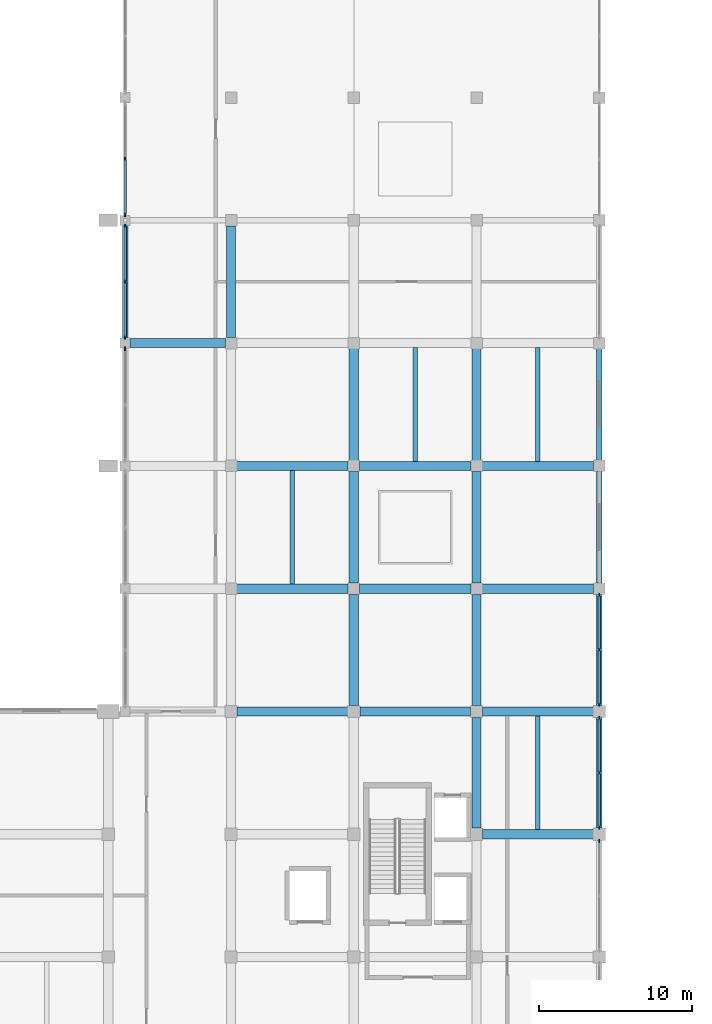
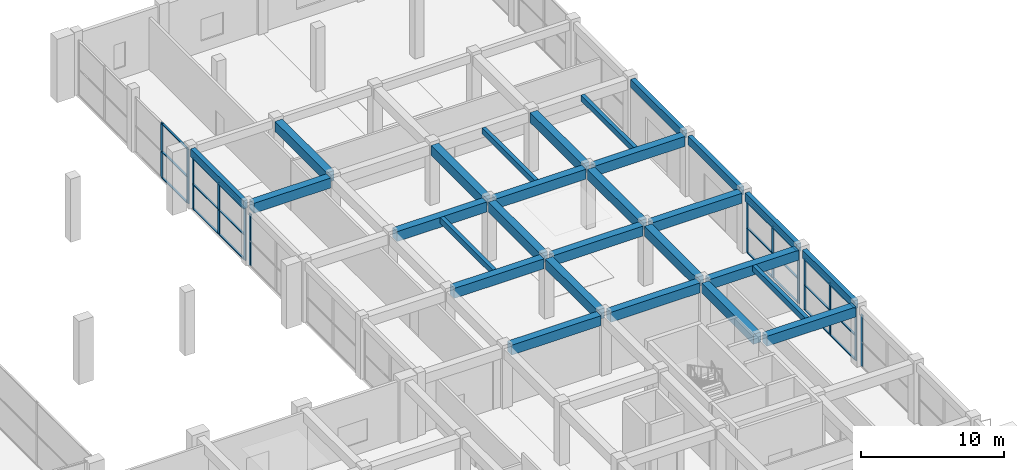
# One storey, part 40 of 86: 34 members, 28 beams, 6 elements without a shape of their own.
"""IFC4 building model written with IfcOpenShell, lengths in metres."""

from ifc_helpers import new_model, si_unit, direction, frame, origin, origin_2d, place, context, subcontext, project, spatial, rectangle, extrude, material, material_profile, profile_set, type_object, element, aggregate, save


model = new_model("IFC4")

# Units and contexts
model_context = context("Model", 3, precision=1e-05, world=origin(), true_north=direction((0.0, 1.0)))
body_context = subcontext(model_context, "Body", "Model", "MODEL_VIEW")
ifc_project = project(units=[si_unit("LENGTHUNIT", "METRE"), si_unit("AREAUNIT", "SQUARE_METRE"), si_unit("VOLUMEUNIT", "CUBIC_METRE"), si_unit("PLANEANGLEUNIT", "RADIAN"), si_unit("MASSUNIT", "GRAM", prefix="KILO")], contexts=[model_context])

# Site, building, storey
site_placement = place(None, origin())
site = spatial("IfcSite", under=ifc_project, at=site_placement, CompositionType="ELEMENT")
building_placement = place(site_placement, origin())
building = spatial("IfcBuilding", under=site, at=building_placement, Name="Kenh Van Central Station", CompositionType="ELEMENT")
storey_placement = place(building_placement, origin())
storey = spatial("IfcBuildingStorey", under=building, at=storey_placement, Name="L00", CompositionType="ELEMENT", Elevation=0.0)

# Beams
ifc_material_1 = material(Name="Concrete C35/45", Category="concrete")
ifc_material_profile_1 = material_profile(ifc_material_1, rectangle(XDim=0.60009765625, YDim=0.85009765625, at=origin_2d()), Name="RC 600x850")
ifc_profile_set_1 = profile_set([ifc_material_profile_1], Name="Concrete C35/45")
beam_type_1 = type_object("IfcBeamType", Name="BM-RC-600x850", PredefinedType="BEAM", material=ifc_profile_set_1)
for number, where, z_axis, x_axis, name in (
    (1, (168.389892578125, 56.0, 4.695068359375), (1.0, 0.0, 0.0), (0.0, 1.0, 0.0), "L00 beam 0445"),
    (2, (152.389892578125, 64.0, 4.695068359375), (1.0, 0.0, 0.0), (0.0, 1.0, 0.0), "L00 beam 0447"),
    (3, (160.389892578125, 64.0, 4.695068359375), (1.0, 0.0, 0.0), (0.0, 1.0, 0.0), "L00 beam 0448"),
    (4, (168.389892578125, 64.0, 4.695068359375), (1.0, 0.0, 0.0), (0.0, 1.0, 0.0), "L00 beam 0449"),
):
    element("IfcBeam", number, at=place(storey_placement, frame(where, z_axis=z_axis, x_axis=x_axis)), inside=storey, type_object=beam_type_1, Name=name, PredefinedType="BEAM", context=body_context, shape_type="SweptSolid", body=[
        extrude(rectangle(XDim=0.60009765625, YDim=0.85009765625, at=origin_2d()), origin(), (0.0, 0.0, 1.0), 7.22021484375),
    ])
for number, where, z_axis, x_axis, name in (
    (5, (152.364990234375, 72.0, 4.695068359375), (1.0, 0.0, 0.0), (0.0, 1.0, 0.0), "L00 beam 0451"),
    (6, (160.364990234375, 72.0, 4.695068359375), (1.0, 0.0, 0.0), (0.0, 1.0, 0.0), "L00 beam 0452"),
    (7, (168.364990234375, 72.0, 4.695068359375), (1.0, 0.0, 0.0), (0.0, 1.0, 0.0), "L00 beam 0453"),
    (8, (152.364990234375, 80.0, 4.695068359375), (1.0, 0.0, 0.0), (0.0, 1.0, 0.0), "L00 beam 0455"),
    (9, (160.364990234375, 80.0, 4.695068359375), (1.0, 0.0, 0.0), (0.0, 1.0, 0.0), "L00 beam 0456"),
    (10, (168.364990234375, 80.0, 4.695068359375), (1.0, 0.0, 0.0), (0.0, 1.0, 0.0), "L00 beam 0457"),
):
    element("IfcBeam", number, at=place(storey_placement, frame(where, z_axis=z_axis, x_axis=x_axis)), inside=storey, type_object=beam_type_1, Name=name, PredefinedType="BEAM", context=body_context, shape_type="SweptSolid", body=[
        extrude(rectangle(XDim=0.60009765625, YDim=0.85009765625, at=origin_2d()), origin(), (0.0, 0.0, 1.0), 7.27001953125),
    ])
beam_1_placement = place(storey_placement, frame((145.4150390625, 88.0, 4.695068359375), z_axis=(1.0, 0.0, 0.0), x_axis=(0.0, 1.0, 0.0)))
element("IfcBeam", 11, at=beam_1_placement, inside=storey, type_object=beam_type_1, Name="L00 beam 0458", PredefinedType="BEAM", context=body_context, shape_type="SweptSolid", body=[
    extrude(rectangle(XDim=0.60009765625, YDim=0.85009765625, at=origin_2d()), origin(), (0.0, 0.0, 1.0), 6.219970703125),
])
beam_2_placement = place(storey_placement, frame((152.0, 88.364990234375, 4.695068359375), z_axis=(0.0, 1.0, 0.0), x_axis=(-1.0, 0.0, 0.0)))
element("IfcBeam", 12, at=beam_2_placement, inside=storey, type_object=beam_type_1, Name="L00 beam 0554", PredefinedType="BEAM", context=body_context, shape_type="SweptSolid", body=[
    extrude(rectangle(XDim=0.60009765625, YDim=0.85009765625, at=origin_2d()), origin(), (0.0, 0.0, 1.0), 7.27001953125),
])
beam_3_placement = place(storey_placement, frame((160.0, 64.389892578125, 4.695068359375), z_axis=(0.0, 1.0, 0.0), x_axis=(-1.0, 0.0, 0.0)))
element("IfcBeam", 13, at=beam_3_placement, inside=storey, type_object=beam_type_1, Name="L00 beam 0562", PredefinedType="BEAM", context=body_context, shape_type="SweptSolid", body=[
    extrude(rectangle(XDim=0.60009765625, YDim=0.85009765625, at=origin_2d()), origin(), (0.0, 0.0, 1.0), 7.2451171875),
])
for number, where, z_axis, x_axis, name in (
    (14, (160.0, 72.364990234375, 4.695068359375), (0.0, 1.0, 0.0), (-1.0, 0.0, 0.0), "L00 beam 0563"),
    (15, (160.0, 80.364990234375, 4.695068359375), (0.0, 1.0, 0.0), (-1.0, 0.0, 0.0), "L00 beam 0564"),
):
    element("IfcBeam", number, at=place(storey_placement, frame(where, z_axis=z_axis, x_axis=x_axis)), inside=storey, type_object=beam_type_1, Name=name, PredefinedType="BEAM", context=body_context, shape_type="SweptSolid", body=[
        extrude(rectangle(XDim=0.60009765625, YDim=0.85009765625, at=origin_2d()), origin(), (0.0, 0.0, 1.0), 7.27001953125),
    ])
beam_4_placement = place(storey_placement, frame((168.0, 56.389892578125, 4.695068359375), z_axis=(0.0, 1.0, 0.0), x_axis=(-1.0, 0.0, 0.0)))
element("IfcBeam", 16, at=beam_4_placement, inside=storey, type_object=beam_type_1, Name="L00 beam 0572", PredefinedType="BEAM", context=body_context, shape_type="SweptSolid", body=[
    extrude(rectangle(XDim=0.60009765625, YDim=0.85009765625, at=origin_2d()), origin(), (0.0, 0.0, 1.0), 7.22021484375),
])
beam_5_placement = place(storey_placement, frame((168.0, 64.389892578125, 4.695068359375), z_axis=(0.0, 1.0, 0.0), x_axis=(-1.0, 0.0, 0.0)))
element("IfcBeam", 17, at=beam_5_placement, inside=storey, type_object=beam_type_1, Name="L00 beam 0573", PredefinedType="BEAM", context=body_context, shape_type="SweptSolid", body=[
    extrude(rectangle(XDim=0.60009765625, YDim=0.85009765625, at=origin_2d()), origin(), (0.0, 0.0, 1.0), 7.2451171875),
])
for number, where, z_axis, x_axis, name in (
    (18, (168.0, 72.364990234375, 4.695068359375), (0.0, 1.0, 0.0), (-1.0, 0.0, 0.0), "L00 beam 0574"),
    (19, (168.0, 80.364990234375, 4.695068359375), (0.0, 1.0, 0.0), (-1.0, 0.0, 0.0), "L00 beam 0575"),
):
    element("IfcBeam", number, at=place(storey_placement, frame(where, z_axis=z_axis, x_axis=x_axis)), inside=storey, type_object=beam_type_1, Name=name, PredefinedType="BEAM", context=body_context, shape_type="SweptSolid", body=[
        extrude(rectangle(XDim=0.60009765625, YDim=0.85009765625, at=origin_2d()), origin(), (0.0, 0.0, 1.0), 7.27001953125),
    ])

# Curtain wall, member
ifc_material_2 = material(Name="Champagne anodised aluminium", Category="aluminium")
curtain_wall_type_1 = type_object("IfcCurtainWallType", Name="CW-OPER-A", PredefinedType="NOTDEFINED", material=ifc_material_2)
curtain_wall_1_placement = place(storey_placement, origin())
curtain_wall_1 = element("IfcCurtainWall", 20, at=curtain_wall_1_placement, inside=storey, type_object=curtain_wall_type_1, Name="L00 curtain wall 057", PredefinedType="NOTDEFINED")
ifc_material_profile_2 = material_profile(ifc_material_2, rectangle(XDim=0.087890625, YDim=0.239990234375, at=origin_2d()), Name="AL 88x240")
ifc_profile_set_2 = profile_set([ifc_material_profile_2], Name="Champagne anodised aluminium")
member_type_1 = type_object("IfcMemberType", Name="CWM-60x140", PredefinedType="MULLION", material=ifc_profile_set_2)
member_1_placement = place(storey_placement, frame((176.0, 55.555908203125, 0.0), z_axis=(0.0, 0.0, 1.0), x_axis=(-1.0, 0.0, 0.0)))
member_1 = element("IfcMember", 21, at=member_1_placement, type_object=member_type_1, Name="CW-07 mullion 3", PredefinedType="MULLION", context=body_context, shape_type="SweptSolid", body=[
    extrude(rectangle(XDim=0.087890625, YDim=0.239990234375, at=origin_2d()), origin(), (0.0, 0.0, 1.0), 4.419921875),
])
aggregate(curtain_wall_1, [member_1])

# Curtain wall, members
curtain_wall_2_placement = place(storey_placement, origin())
curtain_wall_2 = element("IfcCurtainWall", 22, at=curtain_wall_2_placement, inside=storey, type_object=curtain_wall_type_1, Name="L00 curtain wall 058", PredefinedType="NOTDEFINED")
member_2_placement = place(storey_placement, frame((176.0, 56.444091796875, 0.0), z_axis=(0.0, 0.0, 1.0), x_axis=(-1.0, 0.0, 0.0)))
member_2 = element("IfcMember", 23, at=member_2_placement, type_object=member_type_1, Name="CW-07 mullion 1", PredefinedType="MULLION", context=body_context, shape_type="SweptSolid", body=[
    extrude(rectangle(XDim=0.087890625, YDim=0.239990234375, at=origin_2d()), origin(), (0.0, 0.0, 1.0), 4.419921875),
])
member_3_placement = place(storey_placement, frame((176.0, 60.0, 0.0), z_axis=(0.0, 0.0, 1.0), x_axis=(-1.0, 0.0, 0.0)))
member_3 = element("IfcMember", 24, at=member_3_placement, type_object=member_type_1, Name="CW-07 mullion 2", PredefinedType="MULLION", context=body_context, shape_type="SweptSolid", body=[
    extrude(rectangle(XDim=0.087890625, YDim=0.239990234375, at=origin_2d()), origin(), (0.0, 0.0, 1.0), 4.419921875),
])
member_4_placement = place(storey_placement, frame((176.0, 63.555908203125, 0.0), z_axis=(0.0, 0.0, 1.0), x_axis=(-1.0, 0.0, 0.0)))
member_4 = element("IfcMember", 25, at=member_4_placement, type_object=member_type_1, Name="CW-07 mullion 3", PredefinedType="MULLION", context=body_context, shape_type="SweptSolid", body=[
    extrude(rectangle(XDim=0.087890625, YDim=0.239990234375, at=origin_2d()), origin(), (0.0, 0.0, 1.0), 4.419921875),
])

curtain_wall_3_placement = place(storey_placement, origin())
curtain_wall_3 = element("IfcCurtainWall", 26, at=curtain_wall_3_placement, inside=storey, type_object=curtain_wall_type_1, Name="L00 curtain wall 059", PredefinedType="NOTDEFINED")
member_5_placement = place(storey_placement, frame((176.0, 64.444091796875, 0.0), z_axis=(0.0, 0.0, 1.0), x_axis=(-1.0, 0.0, 0.0)))
member_5 = element("IfcMember", 27, at=member_5_placement, type_object=member_type_1, Name="CW-07 mullion 1", PredefinedType="MULLION", context=body_context, shape_type="SweptSolid", body=[
    extrude(rectangle(XDim=0.087890625, YDim=0.239990234375, at=origin_2d()), origin(), (0.0, 0.0, 1.0), 4.419921875),
])
member_6_placement = place(storey_placement, frame((176.0, 68.012451171875, 0.0), z_axis=(0.0, 0.0, 1.0), x_axis=(-1.0, 0.0, 0.0)))
member_6 = element("IfcMember", 28, at=member_6_placement, type_object=member_type_1, Name="CW-07 mullion 2", PredefinedType="MULLION", context=body_context, shape_type="SweptSolid", body=[
    extrude(rectangle(XDim=0.087890625, YDim=0.239990234375, at=origin_2d()), origin(), (0.0, 0.0, 1.0), 4.419921875),
])
member_7_placement = place(storey_placement, frame((176.0, 71.5810546875, 0.0), z_axis=(0.0, 0.0, 1.0), x_axis=(-1.0, 0.0, 0.0)))
member_7 = element("IfcMember", 29, at=member_7_placement, type_object=member_type_1, Name="CW-07 mullion 3", PredefinedType="MULLION", context=body_context, shape_type="SweptSolid", body=[
    extrude(rectangle(XDim=0.087890625, YDim=0.239990234375, at=origin_2d()), origin(), (0.0, 0.0, 1.0), 4.419921875),
])

curtain_wall_type_2 = type_object("IfcCurtainWallType", Name="CW-OPER-B", PredefinedType="NOTDEFINED", material=ifc_material_2)
curtain_wall_4_placement = place(storey_placement, origin())
curtain_wall_4 = element("IfcCurtainWall", 30, at=curtain_wall_4_placement, inside=storey, type_object=curtain_wall_type_2, Name="L00 curtain wall 064", PredefinedType="NOTDEFINED")
member_8_placement = place(storey_placement, frame((145.10009765625, 100.0, 0.0), z_axis=(0.0, 0.0, 1.0), x_axis=(1.0, 0.0, 0.0)))
member_8 = element("IfcMember", 31, at=member_8_placement, type_object=member_type_1, Name="CW-08 mullion 2", PredefinedType="MULLION", context=body_context, shape_type="SweptSolid", body=[
    extrude(rectangle(XDim=0.087890625, YDim=0.239990234375, at=origin_2d()), origin(), (0.0, 0.0, 1.0), 4.67529296875),
])
member_9_placement = place(storey_placement, frame((145.10009765625, 96.368896484375, 0.0), z_axis=(0.0, 0.0, 1.0), x_axis=(1.0, 0.0, 0.0)))
member_9 = element("IfcMember", 32, at=member_9_placement, type_object=member_type_1, Name="CW-08 mullion 3", PredefinedType="MULLION", context=body_context, shape_type="SweptSolid", body=[
    extrude(rectangle(XDim=0.087890625, YDim=0.239990234375, at=origin_2d()), origin(), (0.0, 0.0, 1.0), 4.67529296875),
])

curtain_wall_5_placement = place(storey_placement, origin())
curtain_wall_5 = element("IfcCurtainWall", 33, at=curtain_wall_5_placement, inside=storey, type_object=curtain_wall_type_2, Name="L00 curtain wall 065", PredefinedType="NOTDEFINED")
member_10_placement = place(storey_placement, frame((145.10009765625, 95.631103515625, 0.0), z_axis=(0.0, 0.0, 1.0), x_axis=(1.0, 0.0, 0.0)))
member_10 = element("IfcMember", 34, at=member_10_placement, type_object=member_type_1, Name="CW-08 mullion 1", PredefinedType="MULLION", context=body_context, shape_type="SweptSolid", body=[
    extrude(rectangle(XDim=0.087890625, YDim=0.239990234375, at=origin_2d()), origin(), (0.0, 0.0, 1.0), 4.419921875),
])
member_11_placement = place(storey_placement, frame((145.10009765625, 92.0, 0.0), z_axis=(0.0, 0.0, 1.0), x_axis=(1.0, 0.0, 0.0)))
member_11 = element("IfcMember", 35, at=member_11_placement, type_object=member_type_1, Name="CW-08 mullion 2", PredefinedType="MULLION", context=body_context, shape_type="SweptSolid", body=[
    extrude(rectangle(XDim=0.087890625, YDim=0.239990234375, at=origin_2d()), origin(), (0.0, 0.0, 1.0), 4.419921875),
])
member_12_placement = place(storey_placement, frame((145.10009765625, 88.368896484375, 0.0), z_axis=(0.0, 0.0, 1.0), x_axis=(1.0, 0.0, 0.0)))
member_12 = element("IfcMember", 36, at=member_12_placement, type_object=member_type_1, Name="CW-08 mullion 3", PredefinedType="MULLION", context=body_context, shape_type="SweptSolid", body=[
    extrude(rectangle(XDim=0.087890625, YDim=0.239990234375, at=origin_2d()), origin(), (0.0, 0.0, 1.0), 4.419921875),
])

# Curtain wall, member
curtain_wall_6_placement = place(storey_placement, origin())
curtain_wall_6 = element("IfcCurtainWall", 37, at=curtain_wall_6_placement, inside=storey, type_object=curtain_wall_type_2, Name="L00 curtain wall 066", PredefinedType="NOTDEFINED")
member_13_placement = place(storey_placement, frame((145.10009765625, 87.631103515625, 0.0), z_axis=(0.0, 0.0, 1.0), x_axis=(1.0, 0.0, 0.0)))
member_13 = element("IfcMember", 38, at=member_13_placement, type_object=member_type_1, Name="CW-08 mullion 1", PredefinedType="MULLION", context=body_context, shape_type="SweptSolid", body=[
    extrude(rectangle(XDim=0.087890625, YDim=0.239990234375, at=origin_2d()), origin(), (0.0, 0.0, 1.0), 4.419921875),
])
aggregate(curtain_wall_6, [member_13])

# Member
ifc_material_profile_3 = material_profile(ifc_material_2, rectangle(XDim=0.155029296875, YDim=0.072021484375, at=origin_2d()), Name="AL 155x72")
ifc_profile_set_3 = profile_set([ifc_material_profile_3], Name="Champagne anodised aluminium")
member_type_2 = type_object("IfcMemberType", Name="CWT-120x60", PredefinedType="USERDEFINED", material=ifc_profile_set_3)
member_14_placement = place(storey_placement, frame((176.0, 56.488037109375, 0.035888671875), z_axis=(0.0, 1.0, 0.0), x_axis=(-1.0, 0.0, 0.0)))
member_14 = element("IfcMember", 39, at=member_14_placement, type_object=member_type_2, Name="CW-07 transom 1.1", ObjectType="TRANSOM", PredefinedType="USERDEFINED", context=body_context, shape_type="SweptSolid", body=[
    extrude(rectangle(XDim=0.155029296875, YDim=0.072021484375, at=origin_2d()), origin(), (0.0, 0.0, 1.0), 3.468017578125),
])

member_15_placement = place(storey_placement, frame((176.0, 56.488037109375, 2.12158203125), z_axis=(0.0, 1.0, 0.0), x_axis=(-1.0, 0.0, 0.0)))
member_15 = element("IfcMember", 40, at=member_15_placement, type_object=member_type_2, Name="CW-07 transom 1.2", ObjectType="TRANSOM", PredefinedType="USERDEFINED", context=body_context, shape_type="SweptSolid", body=[
    extrude(rectangle(XDim=0.155029296875, YDim=0.072021484375, at=origin_2d()), origin(), (0.0, 0.0, 1.0), 3.468017578125),
])

member_16_placement = place(storey_placement, frame((176.0, 56.488037109375, 4.384033203125), z_axis=(0.0, 1.0, 0.0), x_axis=(-1.0, 0.0, 0.0)))
member_16 = element("IfcMember", 41, at=member_16_placement, type_object=member_type_2, Name="CW-07 transom 1.3", ObjectType="TRANSOM", PredefinedType="USERDEFINED", context=body_context, shape_type="SweptSolid", body=[
    extrude(rectangle(XDim=0.155029296875, YDim=0.072021484375, at=origin_2d()), origin(), (0.0, 0.0, 1.0), 3.468017578125),
])

member_17_placement = place(storey_placement, frame((176.0, 60.0439453125, 0.035888671875), z_axis=(0.0, 1.0, 0.0), x_axis=(-1.0, 0.0, 0.0)))
member_17 = element("IfcMember", 42, at=member_17_placement, type_object=member_type_2, Name="CW-07 transom 2.1", ObjectType="TRANSOM", PredefinedType="USERDEFINED", context=body_context, shape_type="SweptSolid", body=[
    extrude(rectangle(XDim=0.155029296875, YDim=0.072021484375, at=origin_2d()), origin(), (0.0, 0.0, 1.0), 3.468017578125),
])

member_18_placement = place(storey_placement, frame((176.0, 60.0439453125, 2.12158203125), z_axis=(0.0, 1.0, 0.0), x_axis=(-1.0, 0.0, 0.0)))
member_18 = element("IfcMember", 43, at=member_18_placement, type_object=member_type_2, Name="CW-07 transom 2.2", ObjectType="TRANSOM", PredefinedType="USERDEFINED", context=body_context, shape_type="SweptSolid", body=[
    extrude(rectangle(XDim=0.155029296875, YDim=0.072021484375, at=origin_2d()), origin(), (0.0, 0.0, 1.0), 3.468017578125),
])

member_19_placement = place(storey_placement, frame((176.0, 60.0439453125, 4.384033203125), z_axis=(0.0, 1.0, 0.0), x_axis=(-1.0, 0.0, 0.0)))
member_19 = element("IfcMember", 44, at=member_19_placement, type_object=member_type_2, Name="CW-07 transom 2.3", ObjectType="TRANSOM", PredefinedType="USERDEFINED", context=body_context, shape_type="SweptSolid", body=[
    extrude(rectangle(XDim=0.155029296875, YDim=0.072021484375, at=origin_2d()), origin(), (0.0, 0.0, 1.0), 3.468017578125),
])

aggregate(curtain_wall_2, [member_2, member_3, member_4, member_14, member_15, member_16, member_17, member_18, member_19])

member_20_placement = place(storey_placement, frame((176.0, 64.488037109375, 0.035888671875), z_axis=(0.0, 1.0, 0.0), x_axis=(-1.0, 0.0, 0.0)))
member_20 = element("IfcMember", 45, at=member_20_placement, type_object=member_type_2, Name="CW-07 transom 1.1", ObjectType="TRANSOM", PredefinedType="USERDEFINED", context=body_context, shape_type="SweptSolid", body=[
    extrude(rectangle(XDim=0.155029296875, YDim=0.072021484375, at=origin_2d()), origin(), (0.0, 0.0, 1.0), 3.48046875),
])

member_21_placement = place(storey_placement, frame((176.0, 64.488037109375, 2.12158203125), z_axis=(0.0, 1.0, 0.0), x_axis=(-1.0, 0.0, 0.0)))
member_21 = element("IfcMember", 46, at=member_21_placement, type_object=member_type_2, Name="CW-07 transom 1.2", ObjectType="TRANSOM", PredefinedType="USERDEFINED", context=body_context, shape_type="SweptSolid", body=[
    extrude(rectangle(XDim=0.155029296875, YDim=0.072021484375, at=origin_2d()), origin(), (0.0, 0.0, 1.0), 3.48046875),
])

member_22_placement = place(storey_placement, frame((176.0, 64.488037109375, 4.384033203125), z_axis=(0.0, 1.0, 0.0), x_axis=(-1.0, 0.0, 0.0)))
member_22 = element("IfcMember", 47, at=member_22_placement, type_object=member_type_2, Name="CW-07 transom 1.3", ObjectType="TRANSOM", PredefinedType="USERDEFINED", context=body_context, shape_type="SweptSolid", body=[
    extrude(rectangle(XDim=0.155029296875, YDim=0.072021484375, at=origin_2d()), origin(), (0.0, 0.0, 1.0), 3.48046875),
])

member_23_placement = place(storey_placement, frame((176.0, 68.056396484375, 0.035888671875), z_axis=(0.0, 1.0, 0.0), x_axis=(-1.0, 0.0, 0.0)))
member_23 = element("IfcMember", 48, at=member_23_placement, type_object=member_type_2, Name="CW-07 transom 2.1", ObjectType="TRANSOM", PredefinedType="USERDEFINED", context=body_context, shape_type="SweptSolid", body=[
    extrude(rectangle(XDim=0.155029296875, YDim=0.072021484375, at=origin_2d()), origin(), (0.0, 0.0, 1.0), 3.480712890625),
])

member_24_placement = place(storey_placement, frame((176.0, 68.056396484375, 2.12158203125), z_axis=(0.0, 1.0, 0.0), x_axis=(-1.0, 0.0, 0.0)))
member_24 = element("IfcMember", 49, at=member_24_placement, type_object=member_type_2, Name="CW-07 transom 2.2", ObjectType="TRANSOM", PredefinedType="USERDEFINED", context=body_context, shape_type="SweptSolid", body=[
    extrude(rectangle(XDim=0.155029296875, YDim=0.072021484375, at=origin_2d()), origin(), (0.0, 0.0, 1.0), 3.480712890625),
])

member_25_placement = place(storey_placement, frame((176.0, 68.056396484375, 4.384033203125), z_axis=(0.0, 1.0, 0.0), x_axis=(-1.0, 0.0, 0.0)))
member_25 = element("IfcMember", 50, at=member_25_placement, type_object=member_type_2, Name="CW-07 transom 2.3", ObjectType="TRANSOM", PredefinedType="USERDEFINED", context=body_context, shape_type="SweptSolid", body=[
    extrude(rectangle(XDim=0.155029296875, YDim=0.072021484375, at=origin_2d()), origin(), (0.0, 0.0, 1.0), 3.480712890625),
])

aggregate(curtain_wall_3, [member_5, member_6, member_7, member_20, member_21, member_22, member_23, member_24, member_25])

member_26_placement = place(storey_placement, frame((145.10009765625, 99.9560546875, 0.035888671875), z_axis=(0.0, -1.0, 0.0), x_axis=(1.0, 0.0, 0.0)))
member_26 = element("IfcMember", 51, at=member_26_placement, type_object=member_type_2, Name="CW-08 transom 2.1", ObjectType="TRANSOM", PredefinedType="USERDEFINED", context=body_context, shape_type="SweptSolid", body=[
    extrude(rectangle(XDim=0.155029296875, YDim=0.072021484375, at=origin_2d()), origin(), (0.0, 0.0, 1.0), 3.54296875),
])

member_27_placement = place(storey_placement, frame((145.10009765625, 99.9560546875, 2.244140625), z_axis=(0.0, -1.0, 0.0), x_axis=(1.0, 0.0, 0.0)))
member_27 = element("IfcMember", 52, at=member_27_placement, type_object=member_type_2, Name="CW-08 transom 2.2", ObjectType="TRANSOM", PredefinedType="USERDEFINED", context=body_context, shape_type="SweptSolid", body=[
    extrude(rectangle(XDim=0.155029296875, YDim=0.072021484375, at=origin_2d()), origin(), (0.0, 0.0, 1.0), 3.54296875),
])

member_28_placement = place(storey_placement, frame((145.10009765625, 99.9560546875, 4.63916015625), z_axis=(0.0, -1.0, 0.0), x_axis=(1.0, 0.0, 0.0)))
member_28 = element("IfcMember", 53, at=member_28_placement, type_object=member_type_2, Name="CW-08 transom 2.3", ObjectType="TRANSOM", PredefinedType="USERDEFINED", context=body_context, shape_type="SweptSolid", body=[
    extrude(rectangle(XDim=0.155029296875, YDim=0.072021484375, at=origin_2d()), origin(), (0.0, 0.0, 1.0), 3.54296875),
])

aggregate(curtain_wall_4, [member_8, member_9, member_26, member_27, member_28])

member_29_placement = place(storey_placement, frame((145.10009765625, 95.5869140625, 0.035888671875), z_axis=(0.0, -1.0, 0.0), x_axis=(1.0, 0.0, 0.0)))
member_29 = element("IfcMember", 54, at=member_29_placement, type_object=member_type_2, Name="CW-08 transom 1.1", ObjectType="TRANSOM", PredefinedType="USERDEFINED", context=body_context, shape_type="SweptSolid", body=[
    extrude(rectangle(XDim=0.155029296875, YDim=0.072021484375, at=origin_2d()), origin(), (0.0, 0.0, 1.0), 3.54296875),
])

member_30_placement = place(storey_placement, frame((145.10009765625, 95.5869140625, 2.12158203125), z_axis=(0.0, -1.0, 0.0), x_axis=(1.0, 0.0, 0.0)))
member_30 = element("IfcMember", 55, at=member_30_placement, type_object=member_type_2, Name="CW-08 transom 1.2", ObjectType="TRANSOM", PredefinedType="USERDEFINED", context=body_context, shape_type="SweptSolid", body=[
    extrude(rectangle(XDim=0.155029296875, YDim=0.072021484375, at=origin_2d()), origin(), (0.0, 0.0, 1.0), 3.54296875),
])

member_31_placement = place(storey_placement, frame((145.10009765625, 95.5869140625, 4.384033203125), z_axis=(0.0, -1.0, 0.0), x_axis=(1.0, 0.0, 0.0)))
member_31 = element("IfcMember", 56, at=member_31_placement, type_object=member_type_2, Name="CW-08 transom 1.3", ObjectType="TRANSOM", PredefinedType="USERDEFINED", context=body_context, shape_type="SweptSolid", body=[
    extrude(rectangle(XDim=0.155029296875, YDim=0.072021484375, at=origin_2d()), origin(), (0.0, 0.0, 1.0), 3.54296875),
])

member_32_placement = place(storey_placement, frame((145.10009765625, 91.9560546875, 0.035888671875), z_axis=(0.0, -1.0, 0.0), x_axis=(1.0, 0.0, 0.0)))
member_32 = element("IfcMember", 57, at=member_32_placement, type_object=member_type_2, Name="CW-08 transom 2.1", ObjectType="TRANSOM", PredefinedType="USERDEFINED", context=body_context, shape_type="SweptSolid", body=[
    extrude(rectangle(XDim=0.155029296875, YDim=0.072021484375, at=origin_2d()), origin(), (0.0, 0.0, 1.0), 3.54296875),
])

member_33_placement = place(storey_placement, frame((145.10009765625, 91.9560546875, 2.12158203125), z_axis=(0.0, -1.0, 0.0), x_axis=(1.0, 0.0, 0.0)))
member_33 = element("IfcMember", 58, at=member_33_placement, type_object=member_type_2, Name="CW-08 transom 2.2", ObjectType="TRANSOM", PredefinedType="USERDEFINED", context=body_context, shape_type="SweptSolid", body=[
    extrude(rectangle(XDim=0.155029296875, YDim=0.072021484375, at=origin_2d()), origin(), (0.0, 0.0, 1.0), 3.54296875),
])

member_34_placement = place(storey_placement, frame((145.10009765625, 91.9560546875, 4.384033203125), z_axis=(0.0, -1.0, 0.0), x_axis=(1.0, 0.0, 0.0)))
member_34 = element("IfcMember", 59, at=member_34_placement, type_object=member_type_2, Name="CW-08 transom 2.3", ObjectType="TRANSOM", PredefinedType="USERDEFINED", context=body_context, shape_type="SweptSolid", body=[
    extrude(rectangle(XDim=0.155029296875, YDim=0.072021484375, at=origin_2d()), origin(), (0.0, 0.0, 1.0), 3.54296875),
])

aggregate(curtain_wall_5, [member_10, member_11, member_12, member_29, member_30, member_31, member_32, member_33, member_34])

# Beams
ifc_material_profile_4 = material_profile(ifc_material_1, rectangle(XDim=0.300048828125, YDim=0.5, at=origin_2d()), Name="RC 300x500")
ifc_profile_set_4 = profile_set([ifc_material_profile_4], Name="Concrete C35/45")
beam_type_2 = type_object("IfcBeamType", Name="JST-RC-300x500", PredefinedType="JOIST", material=ifc_profile_set_4)
for number, where, z_axis, x_axis, name in (
    (60, (156.0, 72.300048828125, 4.8701171875), (0.0, 1.0, 0.0), (-1.0, 0.0, 0.0), "L00 floor joist 0607"),
    (61, (164.0, 80.300048828125, 4.8701171875), (0.0, 1.0, 0.0), (-1.0, 0.0, 0.0), "L00 floor joist 0609"),
    (62, (172.0, 56.300048828125, 4.8701171875), (0.0, 1.0, 0.0), (-1.0, 0.0, 0.0), "L00 floor joist 0612"),
    (63, (172.0, 80.300048828125, 4.8701171875), (0.0, 1.0, 0.0), (-1.0, 0.0, 0.0), "L00 floor joist 0613"),
):
    element("IfcBeam", number, at=place(storey_placement, frame(where, z_axis=z_axis, x_axis=x_axis)), inside=storey, type_object=beam_type_2, Name=name, PredefinedType="JOIST", context=body_context, shape_type="SweptSolid", body=[
        extrude(rectangle(XDim=0.300048828125, YDim=0.5, at=origin_2d()), origin(), (0.0, 0.0, 1.0), 7.39990234375),
    ])
ifc_material_profile_5 = material_profile(ifc_material_1, rectangle(XDim=0.35009765625, YDim=0.699951171875, at=origin_2d()), Name="RC 350x700")
ifc_profile_set_5 = profile_set([ifc_material_profile_5], Name="Concrete C35/45")
beam_type_3 = type_object("IfcBeamType", Name="SPD-RC-350x700", PredefinedType="SPANDREL", material=ifc_profile_set_5)
beam_6_placement = place(storey_placement, frame((145.10009765625, 88.31494140625, 4.77001953125), z_axis=(0.0, 1.0, 0.0), x_axis=(-1.0, 0.0, 0.0)))
element("IfcBeam", 64, at=beam_6_placement, inside=storey, type_object=beam_type_3, Name="L00 beam 0543", PredefinedType="SPANDREL", context=body_context, shape_type="SweptSolid", body=[
    extrude(rectangle(XDim=0.35009765625, YDim=0.699951171875, at=origin_2d()), origin(), (0.0, 0.0, 1.0), 7.3701171875),
])
beam_7_placement = place(storey_placement, frame((176.0, 56.389892578125, 4.77001953125), z_axis=(0.0, 1.0, 0.0), x_axis=(-1.0, 0.0, 0.0)))
element("IfcBeam", 65, at=beam_7_placement, inside=storey, type_object=beam_type_3, Name="L00 beam 0583", PredefinedType="SPANDREL", context=body_context, shape_type="SweptSolid", body=[
    extrude(rectangle(XDim=0.35009765625, YDim=0.699951171875, at=origin_2d()), origin(), (0.0, 0.0, 1.0), 7.22021484375),
])
beam_8_placement = place(storey_placement, frame((176.0, 64.389892578125, 4.77001953125), z_axis=(0.0, 1.0, 0.0), x_axis=(-1.0, 0.0, 0.0)))
element("IfcBeam", 66, at=beam_8_placement, inside=storey, type_object=beam_type_3, Name="L00 beam 0584", PredefinedType="SPANDREL", context=body_context, shape_type="SweptSolid", body=[
    extrude(rectangle(XDim=0.35009765625, YDim=0.699951171875, at=origin_2d()), origin(), (0.0, 0.0, 1.0), 7.2451171875),
])
for number, where, z_axis, x_axis, name in (
    (67, (176.0, 72.364990234375, 4.77001953125), (0.0, 1.0, 0.0), (-1.0, 0.0, 0.0), "L00 beam 0585"),
    (68, (176.0, 80.364990234375, 4.77001953125), (0.0, 1.0, 0.0), (-1.0, 0.0, 0.0), "L00 beam 0586"),
):
    element("IfcBeam", number, at=place(storey_placement, frame(where, z_axis=z_axis, x_axis=x_axis)), inside=storey, type_object=beam_type_3, Name=name, PredefinedType="SPANDREL", context=body_context, shape_type="SweptSolid", body=[
        extrude(rectangle(XDim=0.35009765625, YDim=0.699951171875, at=origin_2d()), origin(), (0.0, 0.0, 1.0), 7.27001953125),
    ])

save(model, "model.ifc")
